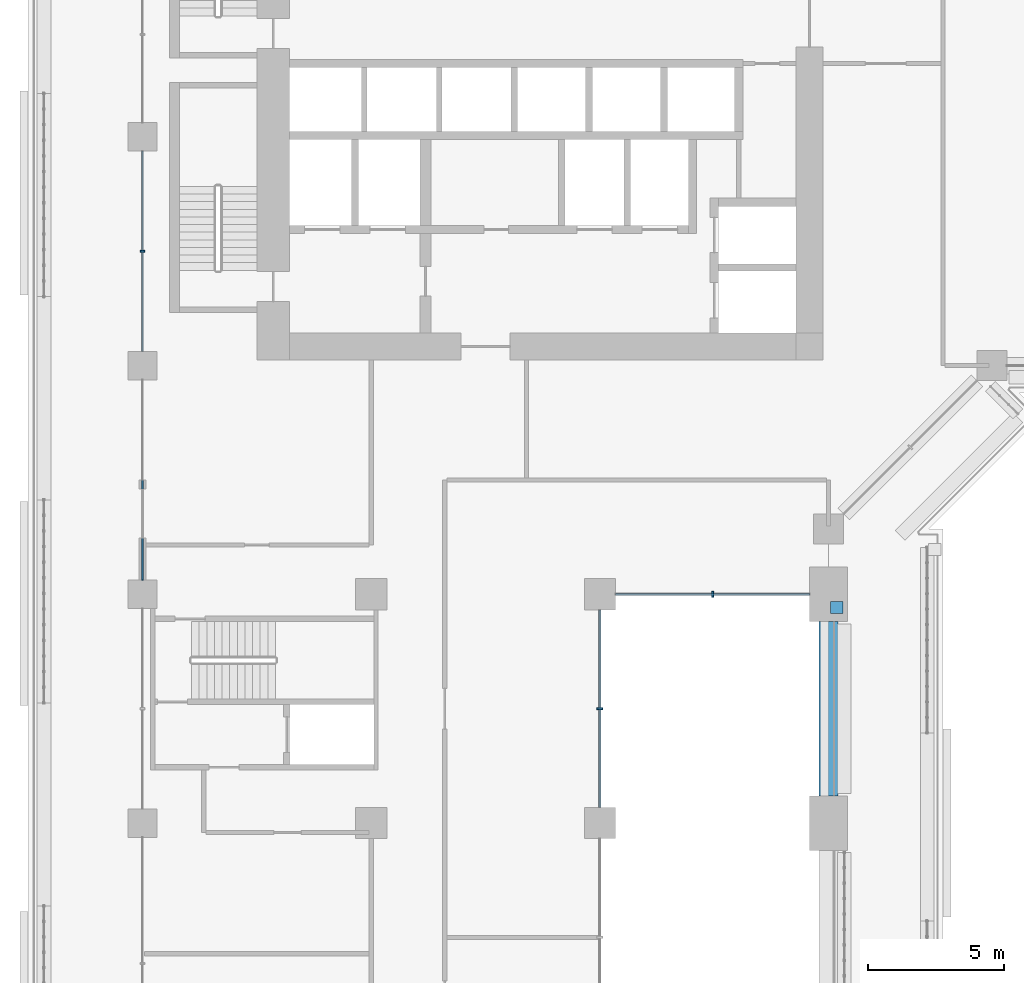
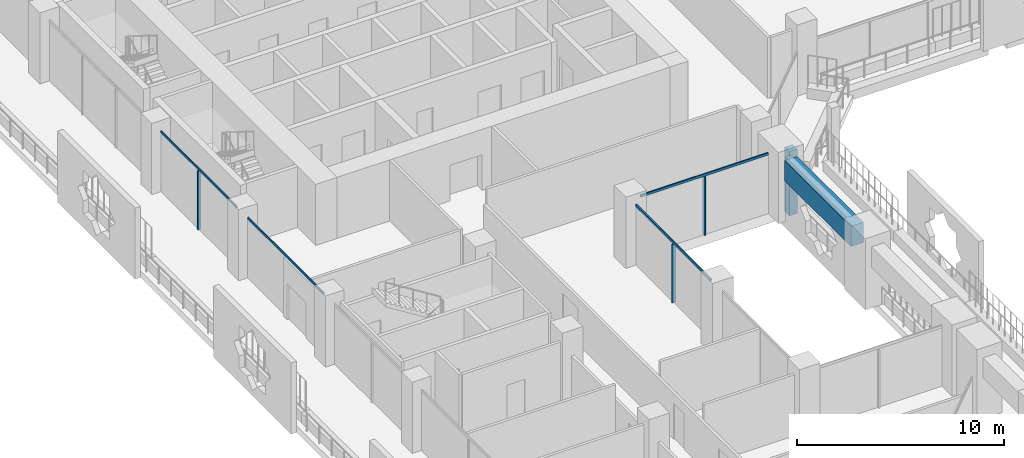
# One storey, part 4 of 27: 8 members, 1 beam, 4 elements without a shape of their own.
"""IFC4 building model written with IfcOpenShell, lengths in metres."""

from ifc_helpers import new_model, si_unit, direction, frame, origin, origin_2d, place, context, subcontext, project, spatial, rectangle, extrude, material, layer, layer_set, material_profile, profile_set, type_object, element, aggregate, save


model = new_model("IFC4")

# Units and contexts
model_context = context("Model", 3, precision=1e-05, world=origin(), true_north=direction((0.0, 1.0)))
body_context = subcontext(model_context, "Body", "Model", "MODEL_VIEW")
ifc_project = project(units=[si_unit("LENGTHUNIT", "METRE"), si_unit("AREAUNIT", "SQUARE_METRE"), si_unit("VOLUMEUNIT", "CUBIC_METRE"), si_unit("PLANEANGLEUNIT", "RADIAN"), si_unit("MASSUNIT", "GRAM", prefix="KILO")], contexts=[model_context])

# Site, building, storey
site_placement = place(None, origin())
site = spatial("IfcSite", under=ifc_project, at=site_placement, CompositionType="ELEMENT")
building_placement = place(site_placement, origin())
building = spatial("IfcBuilding", under=site, at=building_placement, Name="Kawkab Arch Medical Tower", CompositionType="ELEMENT")
storey_placement = place(building_placement, frame((0.0, 0.0, 103.0)))
storey = spatial("IfcBuildingStorey", under=building, at=storey_placement, Name="L23", CompositionType="ELEMENT", Elevation=103.0)

# Curtain wall, members
ifc_material_1 = material(Name="Bronze anodised aluminium curtain wall frame", Category="aluminium")
ifc_layer_1 = layer(ifc_material_1, 0.159912109375)
ifc_layer_set_1 = layer_set([ifc_layer_1], Name="Bronze anodised aluminium curtain wall frame")
curtain_wall_type_1 = type_object("IfcCurtainWallType", Name="CW1 ward curtain wall", PredefinedType="NOTDEFINED", material=ifc_layer_set_1)
placement = place(storey_placement, origin())
curtain_wall_1 = element("IfcCurtainWall", 1, at=placement, inside=storey, type_object=curtain_wall_type_1, Name="CW1 Ward curtain wall R13", PredefinedType="NOTDEFINED")
ifc_material_2 = material(Name="Bronze anodised aluminium curtain wall frame", Category="aluminium")
ifc_material_profile_1 = material_profile(ifc_material_2, rectangle(XDim=0.179931640625, YDim=0.06005859375, at=origin_2d()), Name="AL 60x180")
ifc_profile_set_1 = profile_set([ifc_material_profile_1], Name="Bronze anodised aluminium curtain wall frame")
member_type_1 = type_object("IfcMemberType", Name="CW1 mullion 60 x 180", PredefinedType="MULLION", material=ifc_profile_set_1)
member_1_placement = place(storey_placement, frame((0.0, -21.0, 0.0), z_axis=(0.0, 0.0, 1.0), x_axis=(1.0, 0.0, 0.0)))
member_1 = element("IfcMember", 2, at=member_1_placement, type_object=member_type_1, Name="CW1 mullion 3.1", PredefinedType="MULLION", context=body_context, shape_type="SweptSolid", body=[
    extrude(rectangle(XDim=0.179931640625, YDim=0.06005859375, at=origin_2d()), origin(), (0.0, 0.0, 1.0), 3.47998046875),
])
ifc_material_3 = material(Name="Bronze anodised aluminium curtain wall frame", Category="aluminium")
ifc_material_profile_2 = material_profile(ifc_material_3, rectangle(XDim=0.06005859375, YDim=0.1201171875, at=origin_2d()), Name="AL 60x120")
ifc_profile_set_2 = profile_set([ifc_material_profile_2], Name="Bronze anodised aluminium curtain wall frame")
member_type_2 = type_object("IfcMemberType", Name="CW1 transom 120 x 60", PredefinedType="USERDEFINED", material=ifc_profile_set_2)
member_2_placement = place(storey_placement, frame((0.0, -17.324951171875, 3.5400390625), z_axis=(0.0, -1.0, 0.0), x_axis=(1.0, 0.0, 0.0)))
member_2 = element("IfcMember", 3, at=member_2_placement, type_object=member_type_2, Name="CW1 transom 3", ObjectType="TRANSOM", PredefinedType="USERDEFINED", context=body_context, shape_type="SweptSolid", body=[
    extrude(rectangle(XDim=0.06005859375, YDim=0.1201171875, at=origin_2d()), origin(), (0.0, 0.0, 1.0), 7.35009765625),
])
member_3_placement = place(storey_placement, frame((0.0, -25.72509765625, 3.5400390625), z_axis=(0.0, -1.0, 0.0), x_axis=(1.0, 0.0, 0.0)))
member_3 = element("IfcMember", 4, at=member_3_placement, type_object=member_type_2, Name="CW1 transom 4", ObjectType="TRANSOM", PredefinedType="USERDEFINED", context=body_context, shape_type="SweptSolid", body=[
    extrude(rectangle(XDim=0.06005859375, YDim=0.1201171875, at=origin_2d()), origin(), (0.0, 0.0, 1.0), 7.349853515625),
])
aggregate(curtain_wall_1, [member_2, member_1, member_3])

# Curtain wall, member
ifc_material_4 = material(Name="Bronze anodised aluminium curtain wall frame", Category="aluminium")
ifc_layer_2 = layer(ifc_material_4, 0.159912109375)
ifc_layer_set_2 = layer_set([ifc_layer_2], Name="Bronze anodised aluminium curtain wall frame")
curtain_wall_type_2 = type_object("IfcCurtainWallType", Name="CW3 sky garden curtain wall", PredefinedType="NOTDEFINED", material=ifc_layer_set_2)
curtain_wall_2 = element("IfcCurtainWall", 5, at=placement, inside=storey, type_object=curtain_wall_type_2, Name="CW3 Sky garden curtain wall R03", PredefinedType="NOTDEFINED")
ifc_material_5 = material(Name="Bronze anodised aluminium curtain wall frame", Category="aluminium")
ifc_material_profile_3 = material_profile(ifc_material_5, rectangle(XDim=0.219970703125, YDim=0.070068359375, at=origin_2d()), Name="AL 70x220")
ifc_profile_set_3 = profile_set([ifc_material_profile_3], Name="Bronze anodised aluminium curtain wall frame")
member_type_3 = type_object("IfcMemberType", Name="CW3 mullion 70 x 220", PredefinedType="MULLION", material=ifc_profile_set_3)
member_4_placement = place(storey_placement, frame((16.800048828125, -37.800048828125, 0.0), z_axis=(0.0, 0.0, 1.0), x_axis=(-1.0, 0.0, 0.0)))
member_4 = element("IfcMember", 6, at=member_4_placement, type_object=member_type_3, Name="CW3 mullion 2.1", PredefinedType="MULLION", context=body_context, shape_type="SweptSolid", body=[
    extrude(rectangle(XDim=0.219970703125, YDim=0.070068359375, at=origin_2d()), origin(), (0.0, 0.0, 1.0), 3.4599609375),
])

curtain_wall_3 = element("IfcCurtainWall", 7, at=placement, inside=storey, type_object=curtain_wall_type_2, Name="CW3 Sky garden curtain wall R04", PredefinedType="NOTDEFINED")
member_5_placement = place(storey_placement, frame((20.9375, -33.60009765625, 0.0), z_axis=(0.0, 0.0, 1.0), x_axis=(0.0, 1.0, 0.0)))
member_5 = element("IfcMember", 8, at=member_5_placement, type_object=member_type_3, Name="CW3 mullion 1.1", PredefinedType="MULLION", context=body_context, shape_type="SweptSolid", body=[
    extrude(rectangle(XDim=0.219970703125, YDim=0.070068359375, at=origin_2d()), origin(), (0.0, 0.0, 1.0), 3.4599609375),
])

# Member
ifc_material_6 = material(Name="Bronze anodised aluminium curtain wall frame", Category="aluminium")
ifc_material_profile_4 = material_profile(ifc_material_6, rectangle(XDim=0.070068359375, YDim=0.139892578125, at=origin_2d()), Name="AL 70x140")
ifc_profile_set_4 = profile_set([ifc_material_profile_4], Name="Bronze anodised aluminium curtain wall frame")
member_type_4 = type_object("IfcMemberType", Name="CW3 transom 140 x 70", PredefinedType="USERDEFINED", material=ifc_profile_set_4)
member_6_placement = place(storey_placement, frame((16.800048828125, -41.425048828125, 3.530029296875), z_axis=(0.0, 1.0, 0.0), x_axis=(-1.0, 0.0, 0.0)))
member_6 = element("IfcMember", 9, at=member_6_placement, type_object=member_type_4, Name="CW3 transom 2", ObjectType="TRANSOM", PredefinedType="USERDEFINED", context=body_context, shape_type="SweptSolid", body=[
    extrude(rectangle(XDim=0.070068359375, YDim=0.139892578125, at=origin_2d()), origin(), (0.0, 0.0, 1.0), 7.25),
])

aggregate(curtain_wall_2, [member_6, member_4])

member_7_placement = place(storey_placement, frame((17.375, -33.60009765625, 3.530029296875), z_axis=(1.0, 0.0, 0.0), x_axis=(0.0, 1.0, 0.0)))
member_7 = element("IfcMember", 10, at=member_7_placement, type_object=member_type_4, Name="CW3 transom 1", ObjectType="TRANSOM", PredefinedType="USERDEFINED", context=body_context, shape_type="SweptSolid", body=[
    extrude(rectangle(XDim=0.070068359375, YDim=0.139892578125, at=origin_2d()), origin(), (0.0, 0.0, 1.0), 7.125),
])

aggregate(curtain_wall_3, [member_7, member_5])

# Curtain wall, member
ifc_material_7 = material(Name="Bronze anodised aluminium climber frame, planted", Category="aluminium")
ifc_layer_3 = layer(ifc_material_7, 0.449951171875)
ifc_layer_set_3 = layer_set([ifc_layer_3], Name="Bronze anodised aluminium climber frame, planted")
curtain_wall_type_3 = type_object("IfcCurtainWallType", Name="Planted climber frame", PredefinedType="NOTDEFINED", material=ifc_layer_set_3)
curtain_wall_4 = element("IfcCurtainWall", 11, at=placement, inside=storey, type_object=curtain_wall_type_3, Name="Planted climber frame L23", PredefinedType="NOTDEFINED")
ifc_material_8 = material(Name="Bronze anodised aluminium climber frame, planted", Category="aluminium")
ifc_material_profile_5 = material_profile(ifc_material_8, rectangle(XDim=0.449951171875, YDim=0.449951171875, at=origin_2d()), Name="Post 450x450")
ifc_profile_set_5 = profile_set([ifc_material_profile_5], Name="Bronze anodised aluminium climber frame, planted")
member_type_5 = type_object("IfcMemberType", Name="Planted climber post 450 x 450", PredefinedType="MULLION", material=ifc_profile_set_5)
member_8_placement = place(storey_placement, frame((25.5, -34.080078125, 0.0), z_axis=(0.0, 0.0, 1.0), x_axis=(1.0, 0.0, 0.0)))
member_8 = element("IfcMember", 12, at=member_8_placement, type_object=member_type_5, Name="Planted climber post L23.LOG-01-01.2", PredefinedType="MULLION", context=body_context, shape_type="SweptSolid", body=[
    extrude(rectangle(XDim=0.449951171875, YDim=0.449951171875, at=origin_2d()), origin(), (0.0, 0.0, 1.0), 3.800048828125),
])
aggregate(curtain_wall_4, [member_8])

# Beam
ifc_material_9 = material(Name="Concrete C55/67", Category="concrete")
ifc_material_profile_6 = material_profile(ifc_material_9, rectangle(XDim=0.699951171875, YDim=1.199951171875, at=origin_2d()), Name="RC 700x1200")
ifc_profile_set_6 = profile_set([ifc_material_profile_6], Name="Concrete C55/67")
beam_type = type_object("IfcBeamType", Name="RC 700x1200 beam C55/67", PredefinedType="BEAM", material=ifc_profile_set_6)
beam_placement = place(storey_placement, frame((25.199951171875, -34.60009765625, 3.0), z_axis=(0.0, -1.0, 0.0), x_axis=(1.0, 0.0, 0.0)))
element("IfcBeam", 13, at=beam_placement, inside=storey, type_object=beam_type, Name="Terrace frame beam TF-L22-2-L24-01", PredefinedType="BEAM", context=body_context, shape_type="SweptSolid", body=[
    extrude(rectangle(XDim=0.699951171875, YDim=1.199951171875, at=origin_2d()), origin(), (0.0, 0.0, 1.0), 6.39990234375),
])

save(model, "model.ifc")
